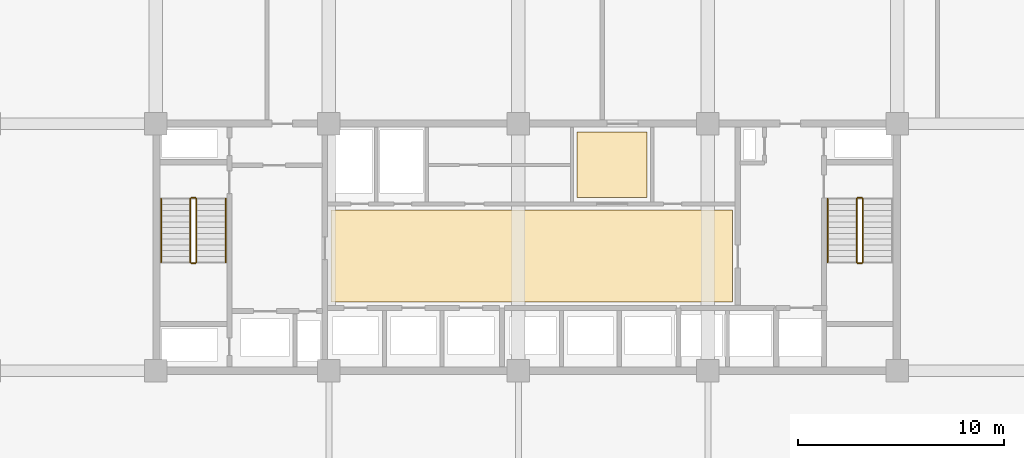
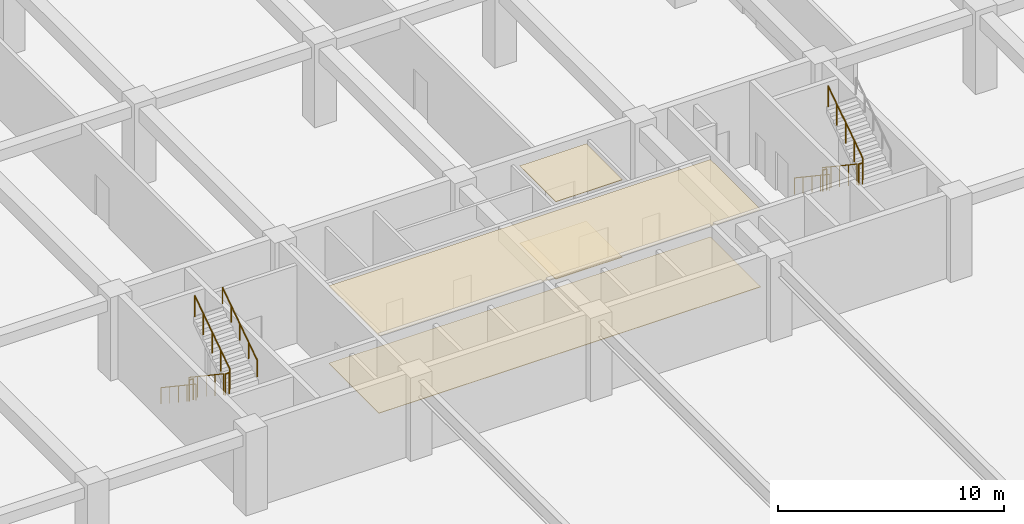
# One storey, part 38 of 43: 11 railings, 4 coverings.
"""IFC4 building model written with IfcOpenShell, lengths in metres."""

from ifc_helpers import new_model, si_unit, direction, frame, origin, origin_2d, place, context, subcontext, project, spatial, polyline, circle, outline, extrude, material, layer, layer_set, type_object, element, save


model = new_model("IFC4")

# Units and contexts
model_context = context("Model", 3, precision=1e-05, world=origin(), true_north=direction((0.0, 1.0)))
body_context = subcontext(model_context, "Body", "Model", "MODEL_VIEW")
ifc_project = project(units=[si_unit("LENGTHUNIT", "METRE"), si_unit("AREAUNIT", "SQUARE_METRE"), si_unit("VOLUMEUNIT", "CUBIC_METRE"), si_unit("PLANEANGLEUNIT", "RADIAN"), si_unit("MASSUNIT", "GRAM", prefix="KILO")], contexts=[model_context])

# Site, building, storey
site_placement = place(None, origin())
site = spatial("IfcSite", under=ifc_project, at=site_placement, CompositionType="ELEMENT")
building_placement = place(site_placement, origin())
building = spatial("IfcBuilding", under=site, at=building_placement, Name="Korimba Cascade Residences", CompositionType="ELEMENT")
storey_placement = place(building_placement, frame((0.0, 0.0, 10.0)))
storey = spatial("IfcBuildingStorey", under=building, at=storey_placement, Name="L02", CompositionType="ELEMENT", Elevation=10.0)

# Coverings
ifc_material_1 = material(Name="Perforated Acoustic Gypsum Ceiling", Category="gypsum")
ifc_layer_1 = layer(ifc_material_1, 0.02490234375)
ifc_layer_set_1 = layer_set([ifc_layer_1], Name="Perforated Acoustic Gypsum Ceiling")
covering_type_1 = type_object("IfcCoveringType", Name="COV-CLG-AC", PredefinedType="CEILING", material=ifc_layer_set_1)
covering_1_placement = place(storey_placement, frame((0.0, 0.0, 4.175048828125)))
element("IfcCovering", 1, at=covering_1_placement, inside=storey, type_object=covering_type_1, Name="L02 Suspended Acoustic Ceiling L02-LL1", PredefinedType="CEILING", context=body_context, shape_type="SweptSolid", body=[
    extrude(outline(polyline([(84.60009765625, 58.550048828125), (104.10009765625, 58.550048828125), (104.10009765625, 63.0), (84.60009765625, 63.0), (84.60009765625, 58.550048828125)])), origin(), (0.0, 0.0, 1.0), 0.02490234375),
])
covering_2_placement = place(storey_placement, frame((0.0, 0.0, 4.175048828125)))
element("IfcCovering", 2, at=covering_2_placement, inside=storey, type_object=covering_type_1, Name="L02 Suspended Acoustic Ceiling L02-LT1", PredefinedType="CEILING", context=body_context, shape_type="SweptSolid", body=[
    extrude(outline(polyline([(96.550048828125, 63.60009765625), (99.949951171875, 63.60009765625), (99.949951171875, 66.800048828125), (96.550048828125, 66.800048828125), (96.550048828125, 63.60009765625)])), origin(), (0.0, 0.0, 1.0), 0.02490234375),
])
ifc_material_2 = material(Name="Honed Travertine Stone Flooring", Category="masonry")
ifc_layer_2 = layer(ifc_material_2, 0.02490234375)
ifc_layer_set_2 = layer_set([ifc_layer_2], Name="Honed Travertine Stone Flooring")
covering_type_2 = type_object("IfcCoveringType", Name="COV-FLR-STN", PredefinedType="FLOORING", material=ifc_layer_set_2)
covering_3_placement = place(storey_placement, origin())
element("IfcCovering", 3, at=covering_3_placement, inside=storey, type_object=covering_type_2, Name="L02 Honed Travertine Stone Flooring L02-LL1", PredefinedType="FLOORING", context=body_context, shape_type="SweptSolid", body=[
    extrude(outline(polyline([(84.60009765625, 58.550048828125), (104.10009765625, 58.550048828125), (104.10009765625, 63.0), (84.60009765625, 63.0), (84.60009765625, 58.550048828125)])), origin(), (0.0, 0.0, 1.0), 0.02490234375),
])
covering_4_placement = place(storey_placement, origin())
element("IfcCovering", 4, at=covering_4_placement, inside=storey, type_object=covering_type_2, Name="L02 Honed Travertine Stone Flooring L02-LT1", PredefinedType="FLOORING", context=body_context, shape_type="SweptSolid", body=[
    extrude(outline(polyline([(96.550048828125, 63.60009765625), (99.949951171875, 63.60009765625), (99.949951171875, 66.800048828125), (96.550048828125, 66.800048828125), (96.550048828125, 63.60009765625)])), origin(), (0.0, 0.0, 1.0), 0.02490234375),
])

# Railings
ifc_material_3 = material(Name="Painted Steel Stairwell Guardrail", Category="steel")
railing_type_1 = type_object("IfcRailingType", Name="RLG-ST-GD1150", PredefinedType="GUARDRAIL", material=ifc_material_3)
railing_1_placement = place(storey_placement, frame((77.77001953125, 63.550048828125, 0.1875)))
element("IfcRailing", 5, at=railing_1_placement, inside=storey, type_object=railing_type_1, Name="L02 ST-W1 stair guard 1", PredefinedType="GUARDRAIL", context=body_context, shape_type="SweptSolid", body=[
    extrude(circle(Radius=0.02392578125, at=origin_2d()), frame((0.0, 0.0, 1.1259765625), z_axis=(0.0, -0.830913701846, 0.55640131208), x_axis=(1.0, 0.0, 0.0)), (0.0, 0.0, 1.0), 3.706787109375),
    extrude(circle(Radius=0.02099609375, at=origin_2d()), origin(), (0.0, 0.0, 1.0), 1.101806640625),
    extrude(circle(Radius=0.02099609375, at=origin_2d()), frame((0.0, -0.77001953125, 0.515625)), (0.0, 0.0, 1.0), 1.101806640625),
    extrude(circle(Radius=0.02099609375, at=origin_2d()), frame((0.0, -1.5400390625, 1.03125)), (0.0, 0.0, 1.0), 1.101806640625),
    extrude(circle(Radius=0.02099609375, at=origin_2d()), frame((0.0, -2.31005859375, 1.546875)), (0.0, 0.0, 1.0), 1.101806640625),
    extrude(circle(Radius=0.02099609375, at=origin_2d()), frame((0.0, -3.080078125, 2.0625)), (0.0, 0.0, 1.0), 1.101806640625),
])
railing_2_placement = place(storey_placement, frame((77.820068359375, 60.419921875, 2.25)))
element("IfcRailing", 6, at=railing_2_placement, inside=storey, type_object=railing_type_1, Name="L02 ST-W1 stair guard 2", PredefinedType="GUARDRAIL", context=body_context, shape_type="SweptSolid", body=[
    extrude(circle(Radius=0.02392578125, at=origin_2d()), frame((0.0, 0.0, 1.1259765625), z_axis=(1.0, 0.0, 0.0), x_axis=(0.0, 1.0, 0.0)), (0.0, 0.0, 1.0), 0.199951171875),
    extrude(circle(Radius=0.02099609375, at=origin_2d()), origin(), (0.0, 0.0, 1.0), 1.101806640625),
    extrude(circle(Radius=0.02099609375, at=origin_2d()), frame((0.199951171875, 0.0, 0.0)), (0.0, 0.0, 1.0), 1.101806640625),
])
railing_3_placement = place(storey_placement, frame((78.070068359375, 60.469970703125, 2.4375)))
element("IfcRailing", 7, at=railing_3_placement, inside=storey, type_object=railing_type_1, Name="L02 ST-W1 stair guard 3", PredefinedType="GUARDRAIL", context=body_context, shape_type="SweptSolid", body=[
    extrude(circle(Radius=0.02392578125, at=origin_2d()), frame((0.0, 0.0, 1.1259765625), z_axis=(0.0, 0.830913701846, 0.55640131208), x_axis=(-1.0, 0.0, 0.0)), (0.0, 0.0, 1.0), 3.706787109375),
    extrude(circle(Radius=0.02099609375, at=origin_2d()), origin(), (0.0, 0.0, 1.0), 1.101806640625),
    extrude(circle(Radius=0.02099609375, at=origin_2d()), frame((0.0, 0.77001953125, 0.515625)), (0.0, 0.0, 1.0), 1.101806640625),
    extrude(circle(Radius=0.02099609375, at=origin_2d()), frame((0.0, 1.5400390625, 1.03125)), (0.0, 0.0, 1.0), 1.101806640625),
    extrude(circle(Radius=0.02099609375, at=origin_2d()), frame((0.0, 2.31005859375, 1.546875)), (0.0, 0.0, 1.0), 1.101806640625),
    extrude(circle(Radius=0.02099609375, at=origin_2d()), frame((0.0, 3.080078125, 2.0625)), (0.0, 0.0, 1.0), 1.101806640625),
])
railing_4_placement = place(storey_placement, frame((77.820068359375, 63.60009765625, 0.0)))
element("IfcRailing", 8, at=railing_4_placement, inside=storey, type_object=railing_type_1, Name="L02 ST-W1 stair guard 4", PredefinedType="GUARDRAIL", context=body_context, shape_type="SweptSolid", body=[
    extrude(circle(Radius=0.02392578125, at=origin_2d()), frame((0.0, 0.0, 1.1259765625), z_axis=(1.0, 0.0, 0.0), x_axis=(0.0, 1.0, 0.0)), (0.0, 0.0, 1.0), 0.199951171875),
    extrude(circle(Radius=0.02099609375, at=origin_2d()), origin(), (0.0, 0.0, 1.0), 1.101806640625),
    extrude(circle(Radius=0.02099609375, at=origin_2d()), frame((0.199951171875, 0.0, 0.0)), (0.0, 0.0, 1.0), 1.101806640625),
])
railing_5_placement = place(storey_placement, frame((110.1298828125, 63.550048828125, 0.1875)))
element("IfcRailing", 9, at=railing_5_placement, inside=storey, type_object=railing_type_1, Name="L02 ST-W2 stair guard 1", PredefinedType="GUARDRAIL", context=body_context, shape_type="SweptSolid", body=[
    extrude(circle(Radius=0.02392578125, at=origin_2d()), frame((0.0, 0.0, 1.1259765625), z_axis=(0.0, -0.830913701846, 0.55640131208), x_axis=(1.0, 0.0, 0.0)), (0.0, 0.0, 1.0), 3.706787109375),
    extrude(circle(Radius=0.02099609375, at=origin_2d()), origin(), (0.0, 0.0, 1.0), 1.101806640625),
    extrude(circle(Radius=0.02099609375, at=origin_2d()), frame((0.0, -0.77001953125, 0.515625)), (0.0, 0.0, 1.0), 1.101806640625),
    extrude(circle(Radius=0.02099609375, at=origin_2d()), frame((0.0, -1.5400390625, 1.03125)), (0.0, 0.0, 1.0), 1.101806640625),
    extrude(circle(Radius=0.02099609375, at=origin_2d()), frame((0.0, -2.31005859375, 1.546875)), (0.0, 0.0, 1.0), 1.101806640625),
    extrude(circle(Radius=0.02099609375, at=origin_2d()), frame((0.0, -3.080078125, 2.0625)), (0.0, 0.0, 1.0), 1.101806640625),
])
railing_6_placement = place(storey_placement, frame((110.179931640625, 60.419921875, 2.25)))
element("IfcRailing", 10, at=railing_6_placement, inside=storey, type_object=railing_type_1, Name="L02 ST-W2 stair guard 2", PredefinedType="GUARDRAIL", context=body_context, shape_type="SweptSolid", body=[
    extrude(circle(Radius=0.02392578125, at=origin_2d()), frame((0.0, 0.0, 1.1259765625), z_axis=(1.0, 0.0, 0.0), x_axis=(0.0, 1.0, 0.0)), (0.0, 0.0, 1.0), 0.199951171875),
    extrude(circle(Radius=0.02099609375, at=origin_2d()), origin(), (0.0, 0.0, 1.0), 1.101806640625),
    extrude(circle(Radius=0.02099609375, at=origin_2d()), frame((0.199951171875, 0.0, 0.0)), (0.0, 0.0, 1.0), 1.101806640625),
])
railing_7_placement = place(storey_placement, frame((110.429931640625, 60.469970703125, 2.4375)))
element("IfcRailing", 11, at=railing_7_placement, inside=storey, type_object=railing_type_1, Name="L02 ST-W2 stair guard 3", PredefinedType="GUARDRAIL", context=body_context, shape_type="SweptSolid", body=[
    extrude(circle(Radius=0.02392578125, at=origin_2d()), frame((0.0, 0.0, 1.1259765625), z_axis=(0.0, 0.830913701846, 0.55640131208), x_axis=(-1.0, 0.0, 0.0)), (0.0, 0.0, 1.0), 3.706787109375),
    extrude(circle(Radius=0.02099609375, at=origin_2d()), origin(), (0.0, 0.0, 1.0), 1.101806640625),
    extrude(circle(Radius=0.02099609375, at=origin_2d()), frame((0.0, 0.77001953125, 0.515625)), (0.0, 0.0, 1.0), 1.101806640625),
    extrude(circle(Radius=0.02099609375, at=origin_2d()), frame((0.0, 1.5400390625, 1.03125)), (0.0, 0.0, 1.0), 1.101806640625),
    extrude(circle(Radius=0.02099609375, at=origin_2d()), frame((0.0, 2.31005859375, 1.546875)), (0.0, 0.0, 1.0), 1.101806640625),
    extrude(circle(Radius=0.02099609375, at=origin_2d()), frame((0.0, 3.080078125, 2.0625)), (0.0, 0.0, 1.0), 1.101806640625),
])
railing_8_placement = place(storey_placement, frame((110.179931640625, 63.60009765625, 0.0)))
element("IfcRailing", 12, at=railing_8_placement, inside=storey, type_object=railing_type_1, Name="L02 ST-W2 stair guard 4", PredefinedType="GUARDRAIL", context=body_context, shape_type="SweptSolid", body=[
    extrude(circle(Radius=0.02392578125, at=origin_2d()), frame((0.0, 0.0, 1.1259765625), z_axis=(1.0, 0.0, 0.0), x_axis=(0.0, 1.0, 0.0)), (0.0, 0.0, 1.0), 0.199951171875),
    extrude(circle(Radius=0.02099609375, at=origin_2d()), origin(), (0.0, 0.0, 1.0), 1.101806640625),
    extrude(circle(Radius=0.02099609375, at=origin_2d()), frame((0.199951171875, 0.0, 0.0)), (0.0, 0.0, 1.0), 1.101806640625),
])
ifc_material_4 = material(Name="Brushed Stainless Steel Handrail", Category="steel")
railing_type_2 = type_object("IfcRailingType", Name="RLG-ST-HR900", PredefinedType="HANDRAIL", material=ifc_material_4)
railing_9_placement = place(storey_placement, frame((76.35009765625, 63.550048828125, 0.379150390625)))
element("IfcRailing", 13, at=railing_9_placement, inside=storey, type_object=railing_type_2, Name="L02 ST-W1 stair handrail 1", PredefinedType="HANDRAIL", context=body_context, shape_type="SweptSolid", body=[
    extrude(circle(Radius=0.02392578125, at=origin_2d()), frame((0.0, 0.0, 0.8759765625), z_axis=(0.0, -0.830913701846, 0.55640131208), x_axis=(1.0, 0.0, 0.0)), (0.0, 0.0, 1.0), 3.706787109375),
    extrude(circle(Radius=0.02099609375, at=origin_2d()), origin(), (0.0, 0.0, 1.0), 0.851806640625),
    extrude(circle(Radius=0.02099609375, at=origin_2d()), frame((0.0, -0.77001953125, 0.515625)), (0.0, 0.0, 1.0), 0.851806640625),
    extrude(circle(Radius=0.02099609375, at=origin_2d()), frame((0.0, -1.5400390625, 1.03125)), (0.0, 0.0, 1.0), 0.851806640625),
    extrude(circle(Radius=0.02099609375, at=origin_2d()), frame((0.0, -2.31005859375, 1.546875)), (0.0, 0.0, 1.0), 0.851806640625),
    extrude(circle(Radius=0.02099609375, at=origin_2d()), frame((0.0, -3.080078125, 2.0625)), (0.0, 0.0, 1.0), 0.851806640625),
])
railing_10_placement = place(storey_placement, frame((79.489990234375, 60.469970703125, 2.629150390625)))
element("IfcRailing", 14, at=railing_10_placement, inside=storey, type_object=railing_type_2, Name="L02 ST-W1 stair handrail 2", PredefinedType="HANDRAIL", context=body_context, shape_type="SweptSolid", body=[
    extrude(circle(Radius=0.02392578125, at=origin_2d()), frame((0.0, 0.0, 0.8759765625), z_axis=(0.0, 0.830913701846, 0.55640131208), x_axis=(-1.0, 0.0, 0.0)), (0.0, 0.0, 1.0), 3.706787109375),
    extrude(circle(Radius=0.02099609375, at=origin_2d()), origin(), (0.0, 0.0, 1.0), 0.851806640625),
    extrude(circle(Radius=0.02099609375, at=origin_2d()), frame((0.0, 0.77001953125, 0.515625)), (0.0, 0.0, 1.0), 0.851806640625),
    extrude(circle(Radius=0.02099609375, at=origin_2d()), frame((0.0, 1.5400390625, 1.03125)), (0.0, 0.0, 1.0), 0.851806640625),
    extrude(circle(Radius=0.02099609375, at=origin_2d()), frame((0.0, 2.31005859375, 1.546875)), (0.0, 0.0, 1.0), 0.851806640625),
    extrude(circle(Radius=0.02099609375, at=origin_2d()), frame((0.0, 3.080078125, 2.0625)), (0.0, 0.0, 1.0), 0.851806640625),
])
railing_11_placement = place(storey_placement, frame((108.7099609375, 63.550048828125, 0.379150390625)))
element("IfcRailing", 15, at=railing_11_placement, inside=storey, type_object=railing_type_2, Name="L02 ST-W2 stair handrail 1", PredefinedType="HANDRAIL", context=body_context, shape_type="SweptSolid", body=[
    extrude(circle(Radius=0.02392578125, at=origin_2d()), frame((0.0, 0.0, 0.8759765625), z_axis=(0.0, -0.830913701846, 0.55640131208), x_axis=(1.0, 0.0, 0.0)), (0.0, 0.0, 1.0), 3.706787109375),
    extrude(circle(Radius=0.02099609375, at=origin_2d()), origin(), (0.0, 0.0, 1.0), 0.851806640625),
    extrude(circle(Radius=0.02099609375, at=origin_2d()), frame((0.0, -0.77001953125, 0.515625)), (0.0, 0.0, 1.0), 0.851806640625),
    extrude(circle(Radius=0.02099609375, at=origin_2d()), frame((0.0, -1.5400390625, 1.03125)), (0.0, 0.0, 1.0), 0.851806640625),
    extrude(circle(Radius=0.02099609375, at=origin_2d()), frame((0.0, -2.31005859375, 1.546875)), (0.0, 0.0, 1.0), 0.851806640625),
    extrude(circle(Radius=0.02099609375, at=origin_2d()), frame((0.0, -3.080078125, 2.0625)), (0.0, 0.0, 1.0), 0.851806640625),
])

save(model, "model.ifc")
